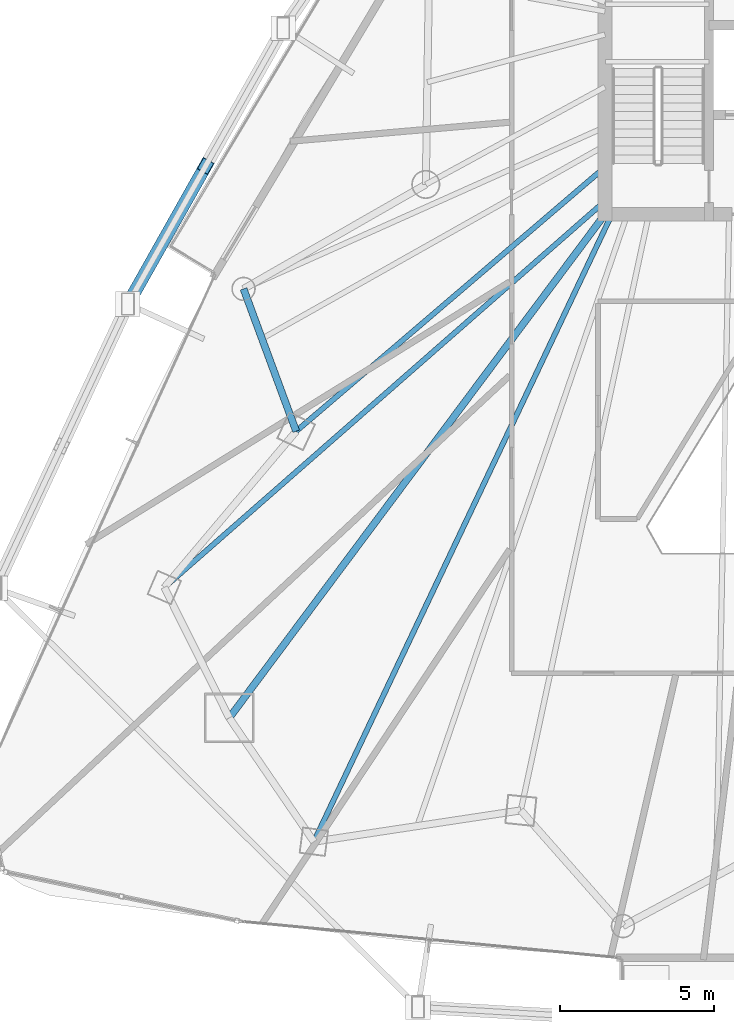
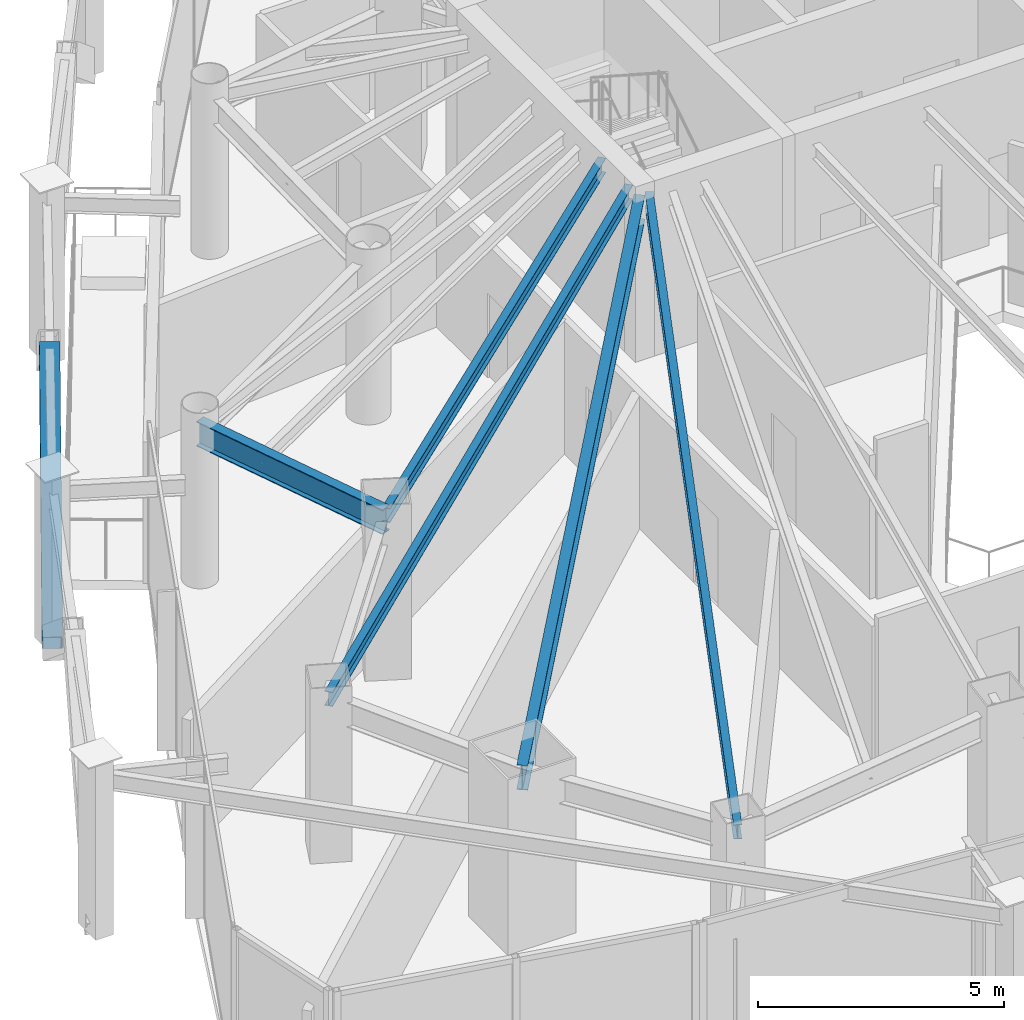
# One storey, part 9 of 33: 5 beams, 1 member.
"""IFC4 building model written with IfcOpenShell, lengths in metres."""

from ifc_helpers import new_model, si_unit, direction, frame, origin, origin_2d, place, context, subcontext, project, spatial, hollow_rectangle, i_section, extrude, material, material_profile, profile_set, type_object, element, save


model = new_model("IFC4")

# Units and contexts
model_context = context("Model", 3, precision=1e-05, world=origin(), true_north=direction((0.0, 1.0)))
body_context = subcontext(model_context, "Body", "Model", "MODEL_VIEW")
ifc_project = project(units=[si_unit("LENGTHUNIT", "METRE"), si_unit("AREAUNIT", "SQUARE_METRE"), si_unit("VOLUMEUNIT", "CUBIC_METRE"), si_unit("PLANEANGLEUNIT", "RADIAN"), si_unit("MASSUNIT", "GRAM", prefix="KILO")], contexts=[model_context])

# Site, building, storey
site_placement = place(None, origin())
site = spatial("IfcSite", under=ifc_project, at=site_placement, CompositionType="ELEMENT")
building_placement = place(site_placement, origin())
building = spatial("IfcBuilding", under=site, at=building_placement, Name="Orvanel Arch Residences", CompositionType="ELEMENT")
storey_placement = place(building_placement, frame((0.0, 0.0, 97.25)))
storey = spatial("IfcBuildingStorey", under=building, at=storey_placement, Name="L27", CompositionType="ELEMENT", Elevation=97.25)

# Beams
ifc_material_1 = material(Name="Structural steel AS/NZS 3679.1 Grade 300 (300 MPa)", Category="steel")
ifc_material_profile_1 = material_profile(ifc_material_1, i_section(OverallWidth=0.22900390625, OverallDepth=0.612060546875, WebThickness=0.011962890625, FlangeThickness=0.01953125, at=origin_2d()), Name="610UB125")
ifc_profile_set_1 = profile_set([ifc_material_profile_1], Name="Structural steel AS/NZS 3679.1 Grade 300 (300 MPa)")
beam_type_1 = type_object("IfcBeamType", Name="BG-610UB", PredefinedType="BEAM", material=ifc_profile_set_1)
beam_1_placement = place(storey_placement, frame((26.375, 26.675048828125, 3.64404296875), z_axis=(-0.597893733742, -0.801575375839, 0.0), x_axis=(0.801575375839, -0.597893733742, 0.0)))
element("IfcBeam", 1, at=beam_1_placement, inside=storey, type_object=beam_type_1, Name="L27 South-West Radial Girder", PredefinedType="BEAM", context=body_context, shape_type="SweptSolid", body=[
    extrude(i_section(OverallWidth=0.22900390625, OverallDepth=0.612060546875, WebThickness=0.011962890625, FlangeThickness=0.01953125, at=origin_2d()), origin(), (0.0, 0.0, 1.0), 20.36474609375),
])
ifc_material_profile_2 = material_profile(ifc_material_1, i_section(OverallWidth=0.1708984375, OverallDepth=0.35595703125, WebThickness=0.00732421875, FlangeThickness=0.011474609375, at=origin_2d()), Name="360UB50.7")
ifc_profile_set_2 = profile_set([ifc_material_profile_2], Name="Structural steel AS/NZS 3679.1 Grade 300 (300 MPa)")
beam_type_2 = type_object("IfcBeamType", Name="BJ-360UB", PredefinedType="JOIST", material=ifc_profile_set_2)
beam_2_placement = place(storey_placement, frame((26.375, 28.199951171875, 3.77197265625), z_axis=(-0.760024297953, -0.649894658018, 0.0), x_axis=(0.649894658018, -0.760024297953, 0.0)))
element("IfcBeam", 2, at=beam_2_placement, inside=storey, type_object=beam_type_2, Name="L27 W Wing Floor Joist", PredefinedType="JOIST", context=body_context, shape_type="SweptSolid", body=[
    extrude(i_section(OverallWidth=0.1708984375, OverallDepth=0.35595703125, WebThickness=0.00732421875, FlangeThickness=0.011474609375, at=origin_2d()), origin(), (0.0, 0.0, 1.0), 13.16796875),
])
beam_3_placement = place(storey_placement, frame((26.375, 27.10009765625, 3.77197265625), z_axis=(-0.751924114057, -0.659249669472, 0.0), x_axis=(0.659249669472, -0.751924114057, 0.0)))
element("IfcBeam", 3, at=beam_3_placement, inside=storey, type_object=beam_type_2, Name="L27 MW Wing Floor Joist", PredefinedType="JOIST", context=body_context, shape_type="SweptSolid", body=[
    extrude(i_section(OverallWidth=0.1708984375, OverallDepth=0.35595703125, WebThickness=0.00732421875, FlangeThickness=0.011474609375, at=origin_2d()), origin(), (0.0, 0.0, 1.0), 18.9912109375),
])
beam_4_placement = place(storey_placement, frame((26.60009765625, 26.675048828125, 3.77197265625), z_axis=(-0.429042657795, -0.903284228686, 0.0), x_axis=(0.903284228686, -0.429042657795, 0.0)))
element("IfcBeam", 4, at=beam_4_placement, inside=storey, type_object=beam_type_2, Name="L27 MSW Wing Floor Joist", PredefinedType="JOIST", context=body_context, shape_type="SweptSolid", body=[
    extrude(i_section(OverallWidth=0.1708984375, OverallDepth=0.35595703125, WebThickness=0.00732421875, FlangeThickness=0.011474609375, at=origin_2d()), origin(), (0.0, 0.0, 1.0), 22.513427734375),
])

# Member
ifc_material_2 = material(Name="Structural steel AS/NZS 3678 Grade 350", Category="steel")
ifc_material_profile_3 = material_profile(ifc_material_2, hollow_rectangle(XDim=0.419921875, YDim=0.719970703125, WallThickness=0.02490234375, at=origin_2d()), Name="RHS720x420x25")
ifc_profile_set_3 = profile_set([ifc_material_profile_3], Name="Structural steel AS/NZS 3678 Grade 350")
member_type = type_object("IfcMemberType", Name="BR-720RHS-EXT", PredefinedType="BRACE", material=ifc_profile_set_3)
member_placement = place(storey_placement, frame((10.9140625, 23.76806640625, 0.0), z_axis=(0.396190650745, 0.703642896934, 0.589847134313), x_axis=(-0.871368284309, 0.490629506961, 0.0)))
element("IfcMember", 5, at=member_placement, inside=storey, type_object=member_type, Name="L27 Exterior Sky-Garden V-Frame Chevron F1B2.2", PredefinedType="BRACE", context=body_context, shape_type="SweptSolid", body=[
    extrude(hollow_rectangle(XDim=0.419921875, YDim=0.719970703125, WallThickness=0.02490234375, at=origin_2d()), origin(), (0.0, 0.0, 1.0), 6.3525390625),
])

# Beam
ifc_material_profile_4 = material_profile(ifc_material_1, i_section(OverallWidth=0.22900390625, OverallDepth=0.612060546875, WebThickness=0.011962890625, FlangeThickness=0.01953125, at=origin_2d()), Name="610UB125")
ifc_profile_set_4 = profile_set([ifc_material_profile_4], Name="Structural steel AS/NZS 3679.1 Grade 300 (300 MPa)")
beam_type_3 = type_object("IfcBeamType", Name="SP-610UB", PredefinedType="SPANDREL", material=ifc_profile_set_4)
beam_5_placement = place(storey_placement, frame((14.662109375, 24.256103515625, 3.64404296875), z_axis=(0.346588434017, -0.938017301229, 0.0), x_axis=(0.938017301229, 0.346588434017, 0.0)))
element("IfcBeam", 6, at=beam_5_placement, inside=storey, type_object=beam_type_3, Name="L27 Perimeter Spandrel Beam 22", PredefinedType="SPANDREL", context=body_context, shape_type="SweptSolid", body=[
    extrude(i_section(OverallWidth=0.22900390625, OverallDepth=0.612060546875, WebThickness=0.011962890625, FlangeThickness=0.01953125, at=origin_2d()), origin(), (0.0, 0.0, 1.0), 4.9189453125),
])

save(model, "model.ifc")
